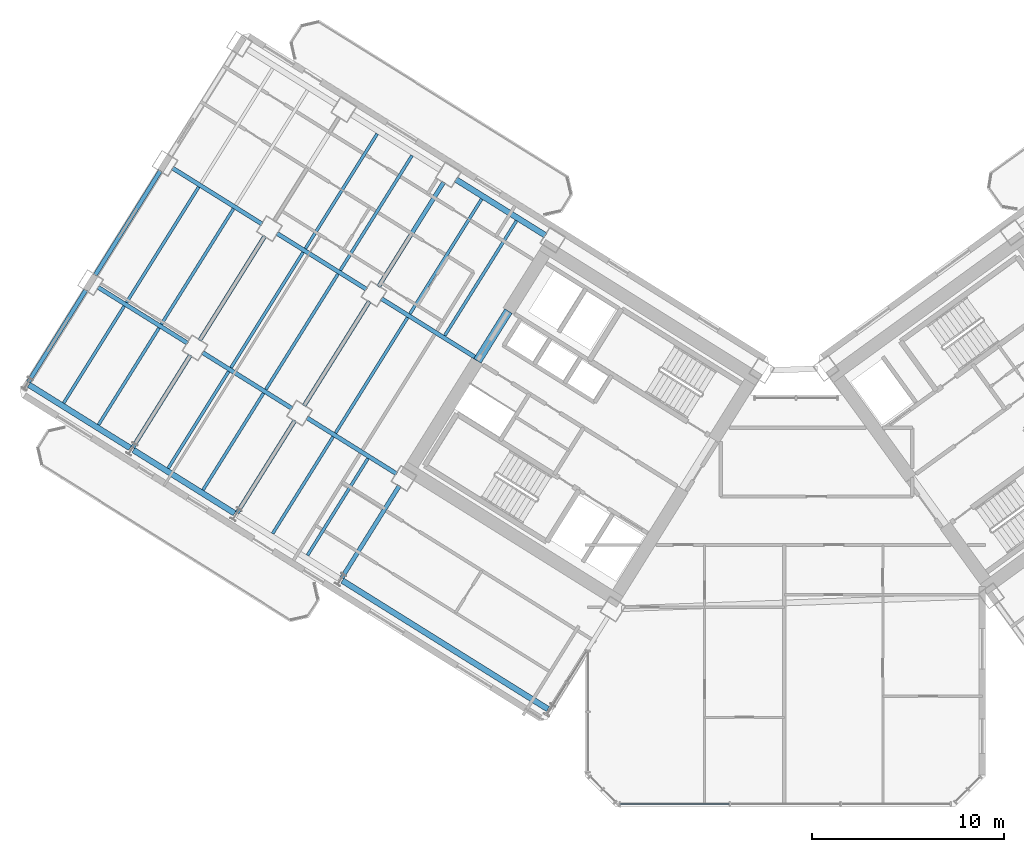
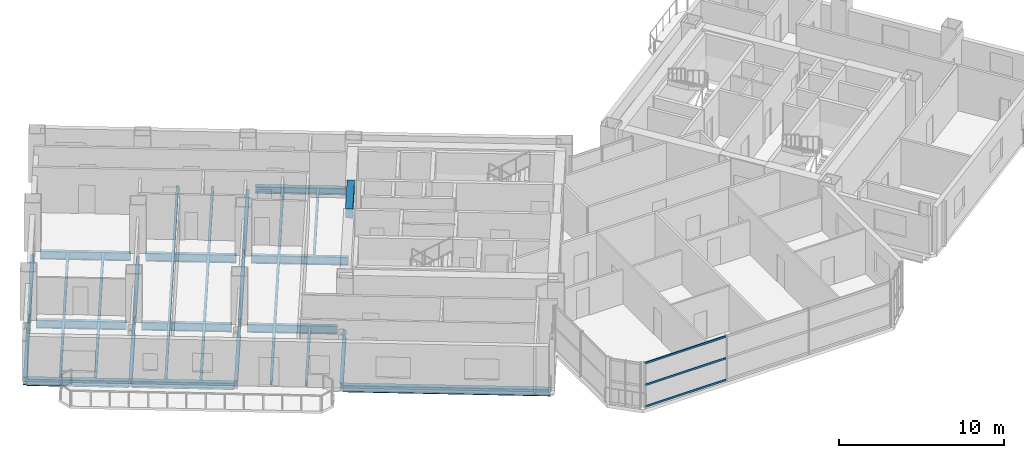
# One storey, part 6 of 24: 34 beams, 3 members, 1 element without a shape of its own.
"""IFC4 building model written with IfcOpenShell, lengths in metres."""

from ifc_helpers import new_model, si_unit, direction, frame, origin, origin_2d, place, context, subcontext, project, spatial, rectangle, hollow_rectangle, i_section, extrude, source, transform, mapped, material, material_profile, profile_set, type_object, element, aggregate, save


model = new_model("IFC4")

# Units and contexts
model_context = context("Model", 3, precision=1e-05, world=origin(), true_north=direction((0.0, 1.0)))
body_context = subcontext(model_context, "Body", "Model", "MODEL_VIEW")
ifc_project = project(units=[si_unit("LENGTHUNIT", "METRE"), si_unit("AREAUNIT", "SQUARE_METRE"), si_unit("VOLUMEUNIT", "CUBIC_METRE"), si_unit("PLANEANGLEUNIT", "RADIAN"), si_unit("MASSUNIT", "GRAM", prefix="KILO")], contexts=[model_context])

# Site, building, storey
site_placement = place(None, origin())
site = spatial("IfcSite", under=ifc_project, at=site_placement, CompositionType="ELEMENT")
building_placement = place(site_placement, origin())
building = spatial("IfcBuilding", under=site, at=building_placement, Name="Tlacorven Tower", CompositionType="ELEMENT")
storey_placement = place(building_placement, frame((0.0, 0.0, 38.39990234375)))
storey = spatial("IfcBuildingStorey", under=building, at=storey_placement, Name="L09", CompositionType="ELEMENT", Elevation=38.39990234375)

# Beams
ifc_material_1 = material(Name="Concrete C60/75", Category="concrete")
ifc_material_profile_1 = material_profile(ifc_material_1, rectangle(XDim=0.449951171875, YDim=0.699951171875, at=origin_2d()), Name="RC 450X700")
ifc_profile_set_1 = profile_set([ifc_material_profile_1], Name="Concrete C60/75")
beam_type_1 = type_object("IfcBeamType", Name="BM-LNT-700", PredefinedType="LINTEL", material=ifc_profile_set_1)
shared_shape_1 = source(origin(), body_context, "Body", "SweptSolid", [
    extrude(rectangle(XDim=0.449951171875, YDim=0.699951171875, at=origin_2d()), origin(), (0.0, 0.0, 1.0), 3.0498046875),
])
beam_1_placement = place(storey_placement, frame((27.622802734375, 27.562255859375, 3.0), z_axis=(-0.529926983584, -0.848043272522, 0.0), x_axis=(0.848043272522, -0.529926983584, 0.0)))
element("IfcBeam", 1, at=beam_1_placement, inside=storey, type_object=beam_type_1, Name="L09 W core coupling lintel beam E2", PredefinedType="LINTEL", context=body_context, shape_type="MappedRepresentation", body=[
    mapped(shared_shape_1, transform((0.0, 0.0, 0.0), scale=1.0)),
])
ifc_material_2 = material(Name="Steel S355J2", Category="steel")
ifc_material_profile_2 = material_profile(ifc_material_2, i_section(OverallWidth=0.300048828125, OverallDepth=0.489990234375, WebThickness=0.011962890625, FlangeThickness=0.02294921875, at=origin_2d()), Name="HEA 500")
ifc_profile_set_2 = profile_set([ifc_material_profile_2], Name="Steel S355J2")
beam_type_2 = type_object("IfcBeamType", Name="BM-SPN-500", PredefinedType="SPANDREL", material=ifc_profile_set_2)
shared_shape_2 = source(origin(), body_context, "Body", "SweptSolid", [
    extrude(i_section(OverallWidth=0.300048828125, OverallDepth=0.489990234375, WebThickness=0.011962890625, FlangeThickness=0.02294921875, at=origin_2d()), origin(), (0.0, 0.0, 1.0), 5.5),
])
beam_2_placement = place(storey_placement, frame((29.54638671875, 31.48974609375, -0.494873046875), z_axis=(-0.848050668838, 0.52991514706, 0.0), x_axis=(-0.52991514706, -0.848050668838, 0.0)))
element("IfcBeam", 2, at=beam_2_placement, inside=storey, type_object=beam_type_2, Name="L09 beam BM-L09-WL1-3", PredefinedType="SPANDREL", context=body_context, shape_type="MappedRepresentation", body=[
    mapped(shared_shape_2, transform((0.0, 0.0, 0.0), scale=1.0)),
])
ifc_material_profile_3 = material_profile(ifc_material_2, i_section(OverallWidth=0.219970703125, OverallDepth=0.60009765625, WebThickness=0.011962890625, FlangeThickness=0.01904296875, at=origin_2d()), Name="IPE 600")
ifc_profile_set_3 = profile_set([ifc_material_profile_3], Name="Steel S355J2")
beam_type_3 = type_object("IfcBeamType", Name="BM-TWR-600", PredefinedType="BEAM", material=ifc_profile_set_3)
shared_shape_3 = source(origin(), body_context, "Body", "SweptSolid", [
    extrude(i_section(OverallWidth=0.219970703125, OverallDepth=0.60009765625, WebThickness=0.011962890625, FlangeThickness=0.01904296875, at=origin_2d()), origin(), (0.0, 0.0, 1.0), 5.909912109375),
])
beam_3_placement = place(storey_placement, frame((26.025634765625, 25.081787109375, -0.5498046875), z_axis=(-0.848047036595, 0.529920959883, 0.0), x_axis=(-0.529920959883, -0.848047036595, 0.0)))
element("IfcBeam", 3, at=beam_3_placement, inside=storey, type_object=beam_type_3, Name="L09 beam BM-L09-WL2-3", PredefinedType="BEAM", context=body_context, shape_type="MappedRepresentation", body=[
    mapped(shared_shape_3, transform((0.0, 0.0, 0.0), scale=1.0)),
])
shared_shape_4 = source(origin(), body_context, "Body", "SweptSolid", [
    extrude(i_section(OverallWidth=0.219970703125, OverallDepth=0.60009765625, WebThickness=0.011962890625, FlangeThickness=0.01904296875, at=origin_2d()), origin(), (0.0, 0.0, 1.0), 5.5),
])
for number, where, z_axis, x_axis, name in (
    (4, (20.25048828125, 28.690673828125, -0.5498046875), (-0.848050668838, 0.52991514706, 0.0), (-0.52991514706, -0.848050668838, 0.0), "L09 beam BM-L09-WL2-4"),
    (5, (14.822998046875, 32.08203125, -0.5498046875), (-0.848050668838, 0.52991514706, 0.0), (-0.52991514706, -0.848050668838, 0.0), "L09 beam BM-L09-WL2-5"),
    (6, (21.8095703125, 19.1083984375, -0.5498046875), (-0.848050668838, 0.52991514706, 0.0), (-0.52991514706, -0.848050668838, 0.0), "L09 beam BM-L09-WL3-3"),
    (7, (16.382080078125, 22.499755859375, -0.5498046875), (-0.848050668838, 0.52991514706, 0.0), (-0.52991514706, -0.848050668838, 0.0), "L09 beam BM-L09-WL3-4"),
    (8, (10.95458984375, 25.891357421875, -0.5498046875), (-0.848050668838, 0.52991514706, 0.0), (-0.52991514706, -0.848050668838, 0.0), "L09 beam BM-L09-WL3-5"),
):
    element("IfcBeam", number, at=place(storey_placement, frame(where, z_axis=z_axis, x_axis=x_axis)), inside=storey, type_object=beam_type_3, Name=name, PredefinedType="BEAM", context=body_context, shape_type="MappedRepresentation", body=[
        mapped(shared_shape_4, transform((0.0, 0.0, 0.0), scale=1.0)),
    ])
shared_shape_5 = source(origin(), body_context, "Body", "SweptSolid", [
    extrude(i_section(OverallWidth=0.300048828125, OverallDepth=0.489990234375, WebThickness=0.011962890625, FlangeThickness=0.02294921875, at=origin_2d()), origin(), (0.0, 0.0, 1.0), 12.599853515625),
])
beam_4_placement = place(storey_placement, frame((29.67578125, 6.882080078125, -0.494873046875), z_axis=(-0.848045108756, 0.529924045043, 0.0), x_axis=(-0.529924045043, -0.848045108756, 0.0)))
element("IfcBeam", 9, at=beam_4_placement, inside=storey, type_object=beam_type_2, Name="L09 beam BM-L09-WL4-1", PredefinedType="SPANDREL", context=body_context, shape_type="MappedRepresentation", body=[
    mapped(shared_shape_5, transform((0.0, 0.0, 0.0), scale=1.0)),
])
shared_shape_6 = source(origin(), body_context, "Body", "SweptSolid", [
    extrude(i_section(OverallWidth=0.300048828125, OverallDepth=0.489990234375, WebThickness=0.011962890625, FlangeThickness=0.02294921875, at=origin_2d()), origin(), (0.0, 0.0, 1.0), 6.199951171875),
])
for number, where, z_axis, x_axis, name in (
    (10, (13.393310546875, 17.056396484375, -0.494873046875), (-0.848033697614, 0.529942306022, 0.0), (-0.529942306022, -0.848033697614, 0.0), "L09 beam BM-L09-WL4-4"),
    (11, (7.9658203125, 20.447998046875, -0.494873046875), (-0.848051394107, 0.529913986372, 0.0), (-0.529913986372, -0.848051394107, 0.0), "L09 beam BM-L09-WL4-5"),
):
    element("IfcBeam", number, at=place(storey_placement, frame(where, z_axis=z_axis, x_axis=x_axis)), inside=storey, type_object=beam_type_2, Name=name, PredefinedType="SPANDREL", context=body_context, shape_type="MappedRepresentation", body=[
        mapped(shared_shape_6, transform((0.0, 0.0, 0.0), scale=1.0)),
    ])
shared_shape_7 = source(origin(), body_context, "Body", "SweptSolid", [
    extrude(i_section(OverallWidth=0.219970703125, OverallDepth=0.60009765625, WebThickness=0.011962890625, FlangeThickness=0.01904296875, at=origin_2d()), origin(), (0.0, 0.0, 1.0), 5.650146484375),
])
for number, where, z_axis, x_axis, name in (
    (12, (21.95263671875, 18.48828125, -0.5498046875), (-0.529929025184, -0.848041996759, 0.0), (0.848041996759, -0.529929025184, 0.0), "L09 beam BM-L09-WT3-2"),
    (13, (16.525146484375, 21.879638671875, -0.5498046875), (-0.529929025184, -0.848041996759, 0.0), (0.848041996759, -0.529929025184, 0.0), "L09 beam BM-L09-WT4-3"),
    (14, (11.09765625, 25.271240234375, -0.5498046875), (-0.529929025184, -0.848041996759, 0.0), (0.848041996759, -0.529929025184, 0.0), "L09 beam BM-L09-WT5-3"),
    (15, (5.670166015625, 28.66259765625, -0.5498046875), (-0.529929025184, -0.848041996759, 0.0), (0.848041996759, -0.529929025184, 0.0), "L09 beam BM-L09-WT6-3"),
):
    element("IfcBeam", number, at=place(storey_placement, frame(where, z_axis=z_axis, x_axis=x_axis)), inside=storey, type_object=beam_type_3, Name=name, PredefinedType="BEAM", context=body_context, shape_type="MappedRepresentation", body=[
        mapped(shared_shape_7, transform((0.0, 0.0, 0.0), scale=1.0)),
    ])
shared_shape_8 = source(origin(), body_context, "Body", "SweptSolid", [
    extrude(i_section(OverallWidth=0.219970703125, OverallDepth=0.60009765625, WebThickness=0.011962890625, FlangeThickness=0.01904296875, at=origin_2d()), origin(), (0.0, 0.0, 1.0), 6.39990234375),
])
for number, where, z_axis, x_axis, name in (
    (16, (24.261962890625, 34.26123046875, -0.5498046875), (-0.529906354247, -0.848056163074, 0.0), (0.848056163074, -0.529906354247, 0.0), "L09 beam BM-L09-WT4-1"),
    (17, (20.3935546875, 28.070556640625, -0.5498046875), (-0.529906354247, -0.848056163074, 0.0), (0.848056163074, -0.529906354247, 0.0), "L09 beam BM-L09-WT4-2"),
):
    element("IfcBeam", number, at=place(storey_placement, frame(where, z_axis=z_axis, x_axis=x_axis)), inside=storey, type_object=beam_type_3, Name=name, PredefinedType="BEAM", context=body_context, shape_type="MappedRepresentation", body=[
        mapped(shared_shape_8, transform((0.0, 0.0, 0.0), scale=1.0)),
    ])
shared_shape_9 = source(origin(), body_context, "Body", "SweptSolid", [
    extrude(i_section(OverallWidth=0.219970703125, OverallDepth=0.60009765625, WebThickness=0.011962890625, FlangeThickness=0.01904296875, at=origin_2d()), origin(), (0.0, 0.0, 1.0), 6.400146484375),
])
for number, where, z_axis, x_axis, name in (
    (18, (14.966064453125, 31.4619140625, -0.5498046875), (-0.529933789039, -0.848039019877, 0.0), (0.848039019877, -0.529933789039, 0.0), "L09 beam BM-L09-WT5-2"),
    (19, (9.53857421875, 34.853515625, -0.5498046875), (-0.529933789039, -0.848039019877, 0.0), (0.848039019877, -0.529933789039, 0.0), "L09 beam BM-L09-WT6-2"),
):
    element("IfcBeam", number, at=place(storey_placement, frame(where, z_axis=z_axis, x_axis=x_axis)), inside=storey, type_object=beam_type_3, Name=name, PredefinedType="BEAM", context=body_context, shape_type="MappedRepresentation", body=[
        mapped(shared_shape_9, transform((0.0, 0.0, 0.0), scale=1.0)),
    ])
ifc_material_profile_4 = material_profile(ifc_material_2, i_section(OverallWidth=0.159912109375, OverallDepth=0.330078125, WebThickness=0.007568359375, FlangeThickness=0.011474609375, at=origin_2d()), Name="IPE 330")
ifc_profile_set_4 = profile_set([ifc_material_profile_4], Name="Steel S355J2")
beam_type_4 = type_object("IfcBeamType", Name="BM-JST-330", PredefinedType="JOIST", material=ifc_profile_set_4)
shared_shape_10 = source(origin(), body_context, "Body", "SweptSolid", [
    extrude(i_section(OverallWidth=0.159912109375, OverallDepth=0.330078125, WebThickness=0.007568359375, FlangeThickness=0.011474609375, at=origin_2d()), origin(), (0.0, 0.0, 1.0), 7.030029296875),
])
for number, where, z_axis, x_axis, name in (
    (20, (28.03662109375, 32.25048828125, -0.414794921875), (-0.529911532383, -0.848052927504, 0.0), (0.848052927504, -0.529911532383, 0.0), "L09 beam BM-L09-WJ3-1-1"),
    (21, (26.2275390625, 33.380859375, -0.414794921875), (-0.529927139185, -0.84804317529, 0.0), (0.84804317529, -0.529927139185, 0.0), "L09 beam BM-L09-WJ3-1-2"),
    (22, (22.609130859375, 35.641845703125, -0.414794921875), (-0.529927139185, -0.84804317529, 0.0), (0.84804317529, -0.529927139185, 0.0), "L09 beam BM-L09-WJ4-1-1"),
    (23, (20.800048828125, 36.7724609375, -0.414794921875), (-0.529911532383, -0.848052927504, 0.0), (0.848052927504, -0.529911532383, 0.0), "L09 beam BM-L09-WJ4-1-2"),
):
    element("IfcBeam", number, at=place(storey_placement, frame(where, z_axis=z_axis, x_axis=x_axis)), inside=storey, type_object=beam_type_4, Name=name, PredefinedType="JOIST", context=body_context, shape_type="MappedRepresentation", body=[
        mapped(shared_shape_10, transform((0.0, 0.0, 0.0), scale=1.0)),
    ])
shared_shape_11 = source(origin(), body_context, "Body", "SweptSolid", [
    extrude(i_section(OverallWidth=0.159912109375, OverallDepth=0.330078125, WebThickness=0.007568359375, FlangeThickness=0.011474609375, at=origin_2d()), origin(), (0.0, 0.0, 1.0), 5.93017578125),
])
for number, where, z_axis, x_axis, name in (
    (24, (20.321044921875, 19.90283203125, -0.414794921875), (-0.529899018132, -0.848060746989, 0.0), (0.848060746989, -0.529899018132, 0.0), "L09 beam BM-L09-WJ3-3-1"),
    (25, (18.51171875, 21.033447265625, -0.414794921875), (-0.529899018132, -0.848060746989, 0.0), (0.848060746989, -0.529899018132, 0.0), "L09 beam BM-L09-WJ3-3-2"),
    (26, (9.466064453125, 26.685791015625, -0.414794921875), (-0.529928626913, -0.848042245633, 0.0), (0.848042245633, -0.529928626913, 0.0), "L09 beam BM-L09-WJ5-3-1"),
    (27, (7.65673828125, 27.81640625, -0.414794921875), (-0.529899018132, -0.848060746989, 0.0), (0.848060746989, -0.529899018132, 0.0), "L09 beam BM-L09-WJ5-3-2"),
):
    element("IfcBeam", number, at=place(storey_placement, frame(where, z_axis=z_axis, x_axis=x_axis)), inside=storey, type_object=beam_type_4, Name=name, PredefinedType="JOIST", context=body_context, shape_type="MappedRepresentation", body=[
        mapped(shared_shape_11, transform((0.0, 0.0, 0.0), scale=1.0)),
    ])
shared_shape_12 = source(origin(), body_context, "Body", "SweptSolid", [
    extrude(i_section(OverallWidth=0.159912109375, OverallDepth=0.330078125, WebThickness=0.007568359375, FlangeThickness=0.011474609375, at=origin_2d()), origin(), (0.0, 0.0, 1.0), 7.070068359375),
])
for number, where, z_axis, x_axis, name in (
    (28, (22.380126953125, 27.22412109375, -0.414794921875), (-0.529890296319, -0.84806619663, 0.0), (0.84806619663, -0.529890296319, 0.0), "L09 beam BM-L09-WJ3-2-2"),
    (29, (18.761962890625, 29.485107421875, -0.414794921875), (-0.529915131461, -0.848050678585, 0.0), (0.848050678585, -0.529915131461, 0.0), "L09 beam BM-L09-WJ4-2-1"),
    (30, (13.33447265625, 32.87646484375, -0.414794921875), (-0.529930649952, -0.848040981463, 0.0), (0.848040981463, -0.529930649952, 0.0), "L09 beam BM-L09-WJ5-2-1"),
    (31, (11.525146484375, 34.007080078125, -0.414794921875), (-0.529930649952, -0.848040981463, 0.0), (0.848040981463, -0.529930649952, 0.0), "L09 beam BM-L09-WJ5-2-2"),
):
    element("IfcBeam", number, at=place(storey_placement, frame(where, z_axis=z_axis, x_axis=x_axis)), inside=storey, type_object=beam_type_4, Name=name, PredefinedType="JOIST", context=body_context, shape_type="MappedRepresentation", body=[
        mapped(shared_shape_12, transform((0.0, 0.0, 0.0), scale=1.0)),
    ])
shared_shape_13 = source(origin(), body_context, "Body", "SweptSolid", [
    extrude(i_section(OverallWidth=0.159912109375, OverallDepth=0.330078125, WebThickness=0.007568359375, FlangeThickness=0.011474609375, at=origin_2d()), origin(), (0.0, 0.0, 1.0), 5.929931640625),
])
for number, where, z_axis, x_axis, name in (
    (32, (14.8935546875, 23.294189453125, -0.414794921875), (-0.529917519894, -0.848049186138, 0.0), (0.848049186138, -0.529917519894, 0.0), "L09 beam BM-L09-WJ4-3-1"),
    (33, (13.084228515625, 24.4248046875, -0.414794921875), (-0.529917519894, -0.848049186138, 0.0), (0.848049186138, -0.529917519894, 0.0), "L09 beam BM-L09-WJ4-3-2"),
):
    element("IfcBeam", number, at=place(storey_placement, frame(where, z_axis=z_axis, x_axis=x_axis)), inside=storey, type_object=beam_type_4, Name=name, PredefinedType="JOIST", context=body_context, shape_type="MappedRepresentation", body=[
        mapped(shared_shape_13, transform((0.0, 0.0, 0.0), scale=1.0)),
    ])
shared_shape_14 = source(origin(), body_context, "Body", "SweptSolid", [
    extrude(i_section(OverallWidth=0.159912109375, OverallDepth=0.330078125, WebThickness=0.007568359375, FlangeThickness=0.011474609375, at=origin_2d()), origin(), (0.0, 0.0, 1.0), 7.06982421875),
])
beam_5_placement = place(storey_placement, frame((16.95263671875, 30.615478515625, -0.414794921875), z_axis=(-0.52990581465, -0.84805650024, 0.0), x_axis=(0.84805650024, -0.52990581465, 0.0)))
element("IfcBeam", 34, at=beam_5_placement, inside=storey, type_object=beam_type_4, Name="L09 beam BM-L09-WJ4-2-2", PredefinedType="JOIST", context=body_context, shape_type="MappedRepresentation", body=[
    mapped(shared_shape_14, transform((0.0, 0.0, 0.0), scale=1.0)),
])

# Curtain wall, members
ifc_material_3 = material(Name="Dark solar low-E double glazing in aluminium frame", Category="aluminium")
curtain_wall_type = type_object("IfcCurtainWallType", Name="CW-TWR-LOW", PredefinedType="USERDEFINED", material=ifc_material_3)
curtain_wall_placement = place(storey_placement, origin())
curtain_wall = element("IfcCurtainWall", 35, at=curtain_wall_placement, inside=storey, type_object=curtain_wall_type, Name="L09 CW-TWR-LOW Curtain Wall 46", ObjectType="UNITISED CURTAIN WALL", PredefinedType="USERDEFINED")
ifc_material_4 = material(Name="Aluminium 6063-T6 anodised", Category="aluminium")
ifc_material_profile_5 = material_profile(ifc_material_4, hollow_rectangle(XDim=0.06005859375, YDim=0.139892578125, WallThickness=0.00390625, at=origin_2d()), Name="ALU TRANSOM 60X140")
ifc_profile_set_5 = profile_set([ifc_material_profile_5], Name="Aluminium 6063-T6 anodised")
member_type = type_object("IfcMemberType", Name="CWT-02", PredefinedType="USERDEFINED", material=ifc_profile_set_5)
shared_shape_15 = source(origin(), body_context, "Body", "SweptSolid", [
    extrude(hollow_rectangle(XDim=0.06005859375, YDim=0.139892578125, WallThickness=0.00390625, at=origin_2d()), origin(), (0.0, 0.0, 1.0), 5.6748046875),
])
member_1_placement = place(storey_placement, frame((39.09912109375, 1.9599609375, 0.070068359375), z_axis=(-1.0, 0.0, 0.0), x_axis=(0.0, -1.0, 0.0)))
member_1 = element("IfcMember", 36, at=member_1_placement, type_object=member_type, Name="CW-L09-046 Transom 7", ObjectType="TRANSOM", PredefinedType="USERDEFINED", context=body_context, shape_type="MappedRepresentation", body=[
    mapped(shared_shape_15, transform((0.0, 0.0, 0.0), scale=1.0)),
])
member_2_placement = place(storey_placement, frame((39.09912109375, 1.9599609375, 1.675048828125), z_axis=(-1.0, 0.0, 0.0), x_axis=(0.0, -1.0, 0.0)))
member_2 = element("IfcMember", 37, at=member_2_placement, type_object=member_type, Name="CW-L09-046 Transom 8", ObjectType="TRANSOM", PredefinedType="USERDEFINED", context=body_context, shape_type="MappedRepresentation", body=[
    mapped(shared_shape_15, transform((0.0, 0.0, 0.0), scale=1.0)),
])
member_3_placement = place(storey_placement, frame((39.09912109375, 1.9599609375, 3.280029296875), z_axis=(-1.0, 0.0, 0.0), x_axis=(0.0, -1.0, 0.0)))
member_3 = element("IfcMember", 38, at=member_3_placement, type_object=member_type, Name="CW-L09-046 Transom 9", ObjectType="TRANSOM", PredefinedType="USERDEFINED", context=body_context, shape_type="MappedRepresentation", body=[
    mapped(shared_shape_15, transform((0.0, 0.0, 0.0), scale=1.0)),
])
aggregate(curtain_wall, [member_1, member_2, member_3])

save(model, "model.ifc")
